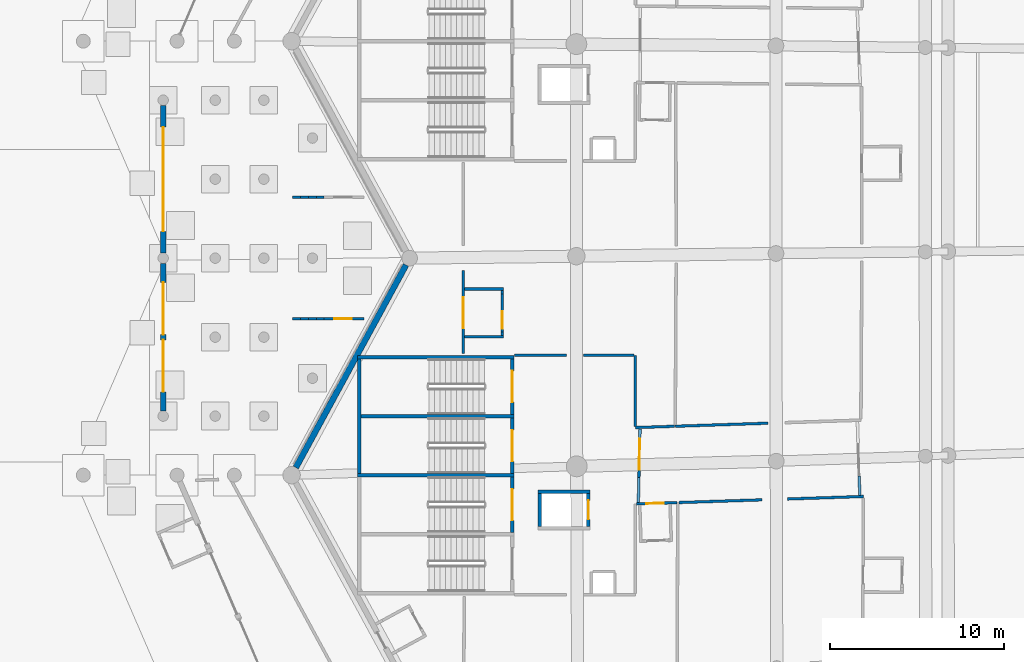
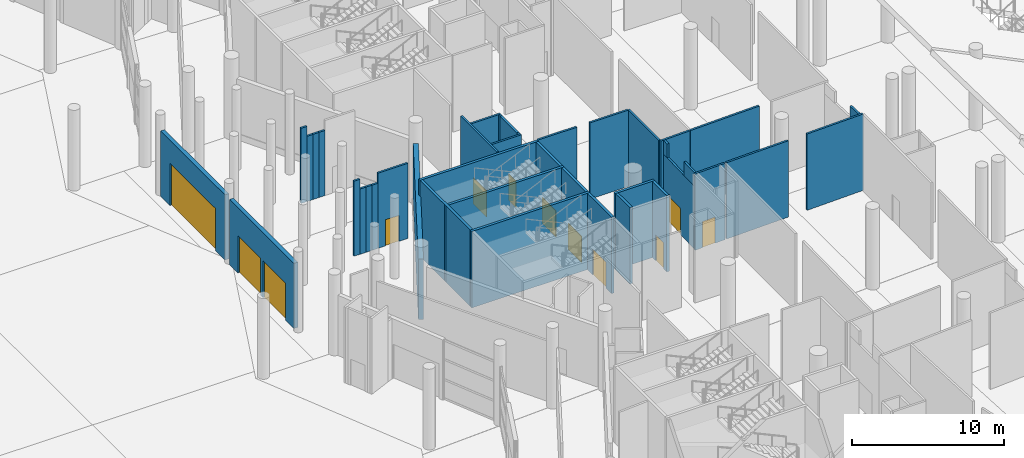
# One storey, part 113 of 255: 40 walls, 12 doors, 12 openings.
"""IFC4 building model written with IfcOpenShell, lengths in metres."""

from ifc_helpers import new_model, si_unit, direction, frame, frame_2d, origin, place, context, subcontext, project, spatial, rectangle, extrude, material, layer, layer_set, type_object, element, fill, save


model = new_model("IFC4")

# Units and contexts
model_context = context("Model", 3, precision=1e-05, world=origin(), true_north=direction((0.0, 1.0)))
body_context = subcontext(model_context, "Body", "Model", "MODEL_VIEW")
ifc_project = project(units=[si_unit("LENGTHUNIT", "METRE"), si_unit("AREAUNIT", "SQUARE_METRE"), si_unit("VOLUMEUNIT", "CUBIC_METRE"), si_unit("PLANEANGLEUNIT", "RADIAN"), si_unit("MASSUNIT", "GRAM", prefix="KILO")], contexts=[model_context])

# Site, building, storey
site_placement = place(None, origin())
site = spatial("IfcSite", under=ifc_project, at=site_placement, CompositionType="ELEMENT")
building_placement = place(site_placement, origin())
building = spatial("IfcBuilding", under=site, at=building_placement, Name="Meseta Stadium", CompositionType="ELEMENT")
storey_placement = place(building_placement, origin())
storey = spatial("IfcBuildingStorey", under=building, at=storey_placement, Name="L00", CompositionType="ELEMENT", Elevation=0.0)

# Walls
ifc_material_1 = material(Name="Concrete C40/50", Category="concrete")
ifc_layer_1 = layer(ifc_material_1, 0.199951171875)
ifc_layer_set_1 = layer_set([ifc_layer_1], Name="Core divider wall 200")
wall_type_1 = type_object("IfcWallType", Name="Core divider wall 200", PredefinedType="SHEAR", material=ifc_layer_set_1)
wall_1_placement = place(storey_placement, frame((-97.60009765625, -15.35009765625, 0.0), z_axis=(0.0, 0.0, 1.0), x_axis=(1.0, 0.0, 0.0)))
element("IfcWall", 1, at=wall_1_placement, inside=storey, type_object=wall_type_1, Name="Core 18 L00 stair A divider wall", PredefinedType="SHEAR", context=body_context, shape_type="SweptSolid", body=[
    extrude(rectangle(XDim=9.0, YDim=0.199951171875, at=frame_2d((4.5, 0.0))), origin(), (0.0, 0.0, 1.0), 6.14990234375),
])
ifc_material_2 = material(Name="Concrete C40/50", Category="concrete")
ifc_layer_2 = layer(ifc_material_2, 0.199951171875)
ifc_layer_set_2 = layer_set([ifc_layer_2], Name="Core shaft wall 200")
wall_type_2 = type_object("IfcWallType", Name="Core shaft wall 200", PredefinedType="SHEAR", material=ifc_layer_set_2)
for number, where, z_axis, x_axis, name in (
    (2, (-97.60009765625, -11.949951171875, 0.0), (0.0, 0.0, 1.0), (1.0, 0.0, 0.0), "Core 18 L00 stair wall A-side"),
    (3, (-97.60009765625, -18.75, 0.0), (0.0, 0.0, 1.0), (1.0, 0.0, 0.0), "Core 18 L00 stair wall shared"),
):
    element("IfcWall", number, at=place(storey_placement, frame(where, z_axis=z_axis, x_axis=x_axis)), inside=storey, type_object=wall_type_2, Name=name, PredefinedType="SHEAR", context=body_context, shape_type="SweptSolid", body=[
        extrude(rectangle(XDim=9.0, YDim=0.199951171875, at=frame_2d((4.5, 0.0))), origin(), (0.0, 0.0, 1.0), 6.14990234375),
    ])
wall_2_placement = place(storey_placement, frame((-97.5, -12.050048828125, 0.0), z_axis=(0.0, 0.0, 1.0), x_axis=(0.0, -1.0, 0.0)))
element("IfcWall", 4, at=wall_2_placement, inside=storey, type_object=wall_type_2, Name="Core 18 L00 stair A outer end wall", PredefinedType="SHEAR", context=body_context, shape_type="SweptSolid", body=[
    extrude(rectangle(XDim=6.599853515625, YDim=0.199951171875, at=frame_2d((3.2998046875, 0.0))), origin(), (0.0, 0.0, 1.0), 6.14990234375),
])

# Wall, opening, door
wall_3_placement = place(storey_placement, frame((-88.699951171875, -12.050048828125, 0.0), z_axis=(0.0, 0.0, 1.0), x_axis=(0.0, -1.0, 0.0)))
wall_3 = element("IfcWall", 5, at=wall_3_placement, inside=storey, type_object=wall_type_2, Name="Core 18 L00 stair A1 inner end wall", PredefinedType="SHEAR", context=body_context, shape_type="SweptSolid", body=[
    extrude(rectangle(XDim=3.199951171875, YDim=0.199951171875, at=frame_2d((1.60009765625, 0.0))), origin(), (0.0, 0.0, 1.0), 6.14990234375),
])
opening_1_placement = place(wall_3_placement, frame((0.699951171875, 0.0, 0.0)))
opening_1 = element("IfcOpeningElement", 6, at=opening_1_placement, cuts=wall_3, Name="Opening D245", PredefinedType="OPENING", context=body_context, shape_type="SweptSolid", body=[
    extrude(rectangle(XDim=1.800048828125, YDim=2.10009765625, at=frame_2d((0.89990234375, 1.050048828125))), frame((0.0, 0.10986328125, 0.0), z_axis=(0.0, -1.0, 0.0), x_axis=(1.0, 0.0, 0.0)), (0.0, 0.0, 1.0), 0.219970703125),
])
ifc_material_3 = material(Name="Steel", Category="steel")
door_type_1 = type_object("IfcDoorType", Name="Stair door 1800x2100", OperationType="DOUBLE_DOOR_SINGLE_SWING", PredefinedType="DOOR", material=ifc_material_3)
door_1_placement = place(opening_1_placement, origin())
door_1 = element("IfcDoor", 7, at=door_1_placement, inside=storey, type_object=door_type_1, Name="Stair A1 door 18 L00", OperationType="DOUBLE_DOOR_SINGLE_SWING", OverallHeight=2.10009765625, OverallWidth=1.800048828125, PredefinedType="DOOR", context=body_context, shape_type="SweptSolid", body=[
    extrude(rectangle(XDim=1.800048828125, YDim=2.10009765625, at=frame_2d((0.89990234375, 1.050048828125))), frame((0.0, 0.02490234375, 0.0), z_axis=(0.0, -1.0, 0.0), x_axis=(1.0, 0.0, 0.0)), (0.0, 0.0, 1.0), 0.050048828125),
])
fill(opening_1, door_1)

wall_4_placement = place(storey_placement, frame((-88.699951171875, -15.449951171875, 0.0), z_axis=(0.0, 0.0, 1.0), x_axis=(0.0, -1.0, 0.0)))
wall_4 = element("IfcWall", 8, at=wall_4_placement, inside=storey, type_object=wall_type_2, Name="Core 18 L00 stair A2 inner end wall", PredefinedType="SHEAR", context=body_context, shape_type="SweptSolid", body=[
    extrude(rectangle(XDim=3.199951171875, YDim=0.199951171875, at=frame_2d((1.60009765625, 0.0))), origin(), (0.0, 0.0, 1.0), 6.14990234375),
])
opening_2_placement = place(wall_4_placement, frame((0.699951171875, 0.0, 0.0)))
opening_2 = element("IfcOpeningElement", 9, at=opening_2_placement, cuts=wall_4, Name="Opening D246", PredefinedType="OPENING", context=body_context, shape_type="SweptSolid", body=[
    extrude(rectangle(XDim=1.800048828125, YDim=2.10009765625, at=frame_2d((0.89990234375, 1.050048828125))), frame((0.0, 0.10986328125, 0.0), z_axis=(0.0, -1.0, 0.0), x_axis=(1.0, 0.0, 0.0)), (0.0, 0.0, 1.0), 0.219970703125),
])
door_2_placement = place(opening_2_placement, origin())
door_2 = element("IfcDoor", 10, at=door_2_placement, inside=storey, type_object=door_type_1, Name="Stair A2 door 18 L00", OperationType="DOUBLE_DOOR_SINGLE_SWING", OverallHeight=2.10009765625, OverallWidth=1.800048828125, PredefinedType="DOOR", context=body_context, shape_type="SweptSolid", body=[
    extrude(rectangle(XDim=1.800048828125, YDim=2.10009765625, at=frame_2d((0.89990234375, 1.050048828125))), frame((0.0, 0.02490234375, 0.0), z_axis=(0.0, -1.0, 0.0), x_axis=(1.0, 0.0, 0.0)), (0.0, 0.0, 1.0), 0.050048828125),
])
fill(opening_2, door_2)

wall_5_placement = place(storey_placement, frame((-88.699951171875, -18.85009765625, 0.0), z_axis=(0.0, 0.0, 1.0), x_axis=(0.0, -1.0, 0.0)))
wall_5 = element("IfcWall", 11, at=wall_5_placement, inside=storey, type_object=wall_type_2, Name="Core 18 L00 stair B1 inner end wall", PredefinedType="SHEAR", context=body_context, shape_type="SweptSolid", body=[
    extrude(rectangle(XDim=3.199951171875, YDim=0.199951171875, at=frame_2d((1.60009765625, 0.0))), origin(), (0.0, 0.0, 1.0), 6.14990234375),
])
opening_3_placement = place(wall_5_placement, frame((0.699951171875, 0.0, 0.0)))
opening_3 = element("IfcOpeningElement", 12, at=opening_3_placement, cuts=wall_5, Name="Opening D247", PredefinedType="OPENING", context=body_context, shape_type="SweptSolid", body=[
    extrude(rectangle(XDim=1.800048828125, YDim=2.10009765625, at=frame_2d((0.89990234375, 1.050048828125))), frame((0.0, 0.10986328125, 0.0), z_axis=(0.0, -1.0, 0.0), x_axis=(1.0, 0.0, 0.0)), (0.0, 0.0, 1.0), 0.219970703125),
])
door_3_placement = place(opening_3_placement, origin())
door_3 = element("IfcDoor", 13, at=door_3_placement, inside=storey, type_object=door_type_1, Name="Stair B1 door 18 L00", OperationType="DOUBLE_DOOR_SINGLE_SWING", OverallHeight=2.10009765625, OverallWidth=1.800048828125, PredefinedType="DOOR", context=body_context, shape_type="SweptSolid", body=[
    extrude(rectangle(XDim=1.800048828125, YDim=2.10009765625, at=frame_2d((0.89990234375, 1.050048828125))), frame((0.0, 0.02490234375, 0.0), z_axis=(0.0, -1.0, 0.0), x_axis=(1.0, 0.0, 0.0)), (0.0, 0.0, 1.0), 0.050048828125),
])
fill(opening_3, door_3)

# Walls
wall_6_placement = place(storey_placement, frame((-87.199951171875, -19.699951171875, 0.0), z_axis=(0.0, 0.0, 1.0), x_axis=(1.0, 0.0, 0.0)))
element("IfcWall", 14, at=wall_6_placement, inside=storey, type_object=wall_type_2, Name="Core 18 L00 lift shaft wall left", PredefinedType="SHEAR", context=body_context, shape_type="SweptSolid", body=[
    extrude(rectangle(XDim=3.0, YDim=0.199951171875, at=frame_2d((1.5, 0.0))), origin(), (0.0, 0.0, 1.0), 6.14990234375),
])
wall_7_placement = place(storey_placement, frame((-87.10009765625, -19.800048828125, 0.0), z_axis=(0.0, 0.0, 1.0), x_axis=(0.0, -1.0, 0.0)))
element("IfcWall", 15, at=wall_7_placement, inside=storey, type_object=wall_type_2, Name="Core 18 L00 lift shaft back wall", PredefinedType="SHEAR", context=body_context, shape_type="SweptSolid", body=[
    extrude(rectangle(XDim=1.89990234375, YDim=0.199951171875, at=frame_2d((0.949951171875, 0.0))), origin(), (0.0, 0.0, 1.0), 6.14990234375),
])

# Wall, opening, door
wall_8_placement = place(storey_placement, frame((-84.300048828125, -19.800048828125, 0.0), z_axis=(0.0, 0.0, 1.0), x_axis=(0.0, -1.0, 0.0)))
wall_8 = element("IfcWall", 16, at=wall_8_placement, inside=storey, type_object=wall_type_2, Name="Core 18 L00 lift shaft front wall", PredefinedType="SHEAR", context=body_context, shape_type="SweptSolid", body=[
    extrude(rectangle(XDim=1.89990234375, YDim=0.199951171875, at=frame_2d((0.949951171875, 0.0))), origin(), (0.0, 0.0, 1.0), 6.14990234375),
])
opening_4_placement = place(wall_8_placement, frame((0.39990234375, 0.0, 0.0)))
opening_4 = element("IfcOpeningElement", 17, at=opening_4_placement, cuts=wall_8, Name="Opening LD98", PredefinedType="OPENING", context=body_context, shape_type="SweptSolid", body=[
    extrude(rectangle(XDim=1.10009765625, YDim=2.10009765625, at=frame_2d((0.550048828125, 1.050048828125))), frame((0.0, 0.10986328125, 0.0), z_axis=(0.0, -1.0, 0.0), x_axis=(1.0, 0.0, 0.0)), (0.0, 0.0, 1.0), 0.219970703125),
])
ifc_material_4 = material(Name="Steel", Category="steel")
door_type_2 = type_object("IfcDoorType", Name="Lift landing door 1100x2100", OperationType="SLIDING_TO_LEFT", PredefinedType="DOOR", material=ifc_material_4)
door_4_placement = place(opening_4_placement, origin())
door_4 = element("IfcDoor", 18, at=door_4_placement, inside=storey, type_object=door_type_2, Name="Lift landing door LD98", OperationType="SLIDING_TO_RIGHT", OverallHeight=2.10009765625, OverallWidth=1.10009765625, PredefinedType="DOOR", context=body_context, shape_type="SweptSolid", body=[
    extrude(rectangle(XDim=1.10009765625, YDim=2.10009765625, at=frame_2d((0.550048828125, 1.050048828125))), frame((0.0, 0.02490234375, 0.0), z_axis=(0.0, -1.0, 0.0), x_axis=(1.0, 0.0, 0.0)), (0.0, 0.0, 1.0), 0.050048828125),
])
fill(opening_4, door_4)

ifc_material_5 = material(Name="Precast concrete C40/50", Category="concrete")
ifc_layer_3 = layer(ifc_material_5, 0.300048828125)
ifc_layer_set_3 = layer_set([ifc_layer_3], Name="Gate facade panel wall 300")
wall_type_3 = type_object("IfcWallType", Name="Gate facade panel wall 300", PredefinedType="SOLIDWALL", material=ifc_layer_set_3)
wall_9_placement = place(storey_placement, frame((-108.800048828125, -5.949951171875, 0.0), z_axis=(0.0, 0.0, 1.0), x_axis=(0.0, 1.0, 0.0)))
wall_9 = element("IfcWall", 19, at=wall_9_placement, inside=storey, type_object=wall_type_3, Name="Gate 5 entrance wall", PredefinedType="SOLIDWALL", context=body_context, shape_type="SweptSolid", body=[
    extrude(rectangle(XDim=8.5, YDim=0.300048828125, at=frame_2d((4.25, 0.0))), origin(), (0.0, 0.0, 1.0), 5.25),
])
opening_5_placement = place(wall_9_placement, frame((1.25, 0.0, 0.0)))
opening_5 = element("IfcOpeningElement", 20, at=opening_5_placement, cuts=wall_9, Name="Opening D017", PredefinedType="OPENING", context=body_context, shape_type="SweptSolid", body=[
    extrude(rectangle(XDim=6.0, YDim=3.39990234375, at=frame_2d((3.0, 1.699951171875))), frame((0.0, 0.159912109375, 0.0), z_axis=(0.0, -1.0, 0.0), x_axis=(1.0, 0.0, 0.0)), (0.0, 0.0, 1.0), 0.320068359375),
])
ifc_material_6 = material(Name="Steel", Category="steel")
door_type_3 = type_object("IfcDoorType", Name="Main entrance door 6000x3400", OperationType="DOUBLE_DOOR_SINGLE_SWING", PredefinedType="DOOR", material=ifc_material_6)
door_5_placement = place(opening_5_placement, origin())
door_5 = element("IfcDoor", 21, at=door_5_placement, inside=storey, type_object=door_type_3, Name="Main entrance E5", OperationType="DOUBLE_DOOR_SINGLE_SWING", OverallHeight=3.39990234375, OverallWidth=6.0, PredefinedType="DOOR", context=body_context, shape_type="SweptSolid", body=[
    extrude(rectangle(XDim=6.0, YDim=3.39990234375, at=frame_2d((3.0, 1.699951171875))), frame((0.0, 0.02490234375, 0.0), z_axis=(0.0, -1.0, 0.0), x_axis=(1.0, 0.0, 0.0)), (0.0, 0.0, 1.0), 0.050048828125),
])
fill(opening_5, door_5)

# Wall, openings, doors
wall_10_placement = place(storey_placement, frame((-108.800048828125, -15.050048828125, 0.0), z_axis=(0.0, 0.0, 1.0), x_axis=(0.0, 1.0, 0.0)))
wall_10 = element("IfcWall", 22, at=wall_10_placement, inside=storey, type_object=wall_type_3, Name="Gate 5 entrance wall", PredefinedType="SOLIDWALL", context=body_context, shape_type="SweptSolid", body=[
    extrude(rectangle(XDim=8.5, YDim=0.300048828125, at=frame_2d((4.25, 0.0))), origin(), (0.0, 0.0, 1.0), 5.25),
])
opening_6_placement = place(wall_10_placement, frame((4.39990234375, 0.0, 0.0)))
opening_6 = element("IfcOpeningElement", 23, at=opening_6_placement, cuts=wall_10, Name="Opening D018", PredefinedType="OPENING", context=body_context, shape_type="SweptSolid", body=[
    extrude(rectangle(XDim=3.0, YDim=3.0, at=frame_2d((1.5, 1.5))), frame((0.0, 0.159912109375, 0.0), z_axis=(0.0, -1.0, 0.0), x_axis=(1.0, 0.0, 0.0)), (0.0, 0.0, 1.0), 0.320068359375),
])
opening_7_placement = place(wall_10_placement, frame((1.10009765625, 0.0, 0.0)))
opening_7 = element("IfcOpeningElement", 24, at=opening_7_placement, cuts=wall_10, Name="Opening D019", PredefinedType="OPENING", context=body_context, shape_type="SweptSolid", body=[
    extrude(rectangle(XDim=3.0, YDim=3.0, at=frame_2d((1.5, 1.5))), frame((0.0, 0.159912109375, 0.0), z_axis=(0.0, -1.0, 0.0), x_axis=(1.0, 0.0, 0.0)), (0.0, 0.0, 1.0), 0.320068359375),
])
ifc_material_7 = material(Name="Steel", Category="steel")
door_type_4 = type_object("IfcDoorType", Name="Pedestrian exit door 3000x3000", OperationType="DOUBLE_DOOR_SINGLE_SWING", PredefinedType="DOOR", material=ifc_material_7)
door_6_placement = place(opening_6_placement, origin())
door_6 = element("IfcDoor", 25, at=door_6_placement, inside=storey, type_object=door_type_4, Name="Pedestrian exit gate G5", OperationType="DOUBLE_DOOR_SINGLE_SWING", OverallHeight=3.0, OverallWidth=3.0, PredefinedType="DOOR", context=body_context, shape_type="SweptSolid", body=[
    extrude(rectangle(XDim=3.0, YDim=3.0, at=frame_2d((1.5, 1.5))), frame((0.0, 0.02490234375, 0.0), z_axis=(0.0, -1.0, 0.0), x_axis=(1.0, 0.0, 0.0)), (0.0, 0.0, 1.0), 0.050048828125),
])
fill(opening_6, door_6)
door_7_placement = place(opening_7_placement, origin())
door_7 = element("IfcDoor", 26, at=door_7_placement, inside=storey, type_object=door_type_4, Name="Pedestrian exit gate G5", OperationType="DOUBLE_DOOR_SINGLE_SWING", OverallHeight=3.0, OverallWidth=3.0, PredefinedType="DOOR", context=body_context, shape_type="SweptSolid", body=[
    extrude(rectangle(XDim=3.0, YDim=3.0, at=frame_2d((1.5, 1.5))), frame((0.0, 0.02490234375, 0.0), z_axis=(0.0, -1.0, 0.0), x_axis=(1.0, 0.0, 0.0)), (0.0, 0.0, 1.0), 0.050048828125),
])
fill(opening_7, door_7)

# Walls
ifc_material_8 = material(Name="Masonry blockwork", Category="masonry")
ifc_layer_4 = layer(ifc_material_8, 0.14990234375)
ifc_layer_set_4 = layer_set([ifc_layer_4], Name="Partition 150")
wall_type_4 = type_object("IfcWallType", Name="Partition 150", PredefinedType="PARTITIONING", material=ifc_layer_set_4)
wall_11_placement = place(storey_placement, frame((-99.525390625, -2.75, 0.0), z_axis=(0.0, 0.0, 1.0), x_axis=(-1.0, 0.0, 0.0)))
element("IfcWall", 27, at=wall_11_placement, inside=storey, type_object=wall_type_4, Name="Partition L00 G5-L00-0-SecurityScreening-0", PredefinedType="PARTITIONING", context=body_context, shape_type="SweptSolid", body=[
    extrude(rectangle(XDim=0.456298828125, YDim=0.14990234375, at=frame_2d((0.22802734375, 0.0))), origin(), (0.0, 0.0, 1.0), 5.25),
])
for number, where, z_axis, x_axis, name in (
    (28, (-99.981689453125, -2.75, 0.0), (0.0, 0.0, 1.0), (-1.0, 0.0, 0.0), "Partition L00 G5-L00-0-SecurityScreening-0"),
    (29, (-100.437744140625, -2.75, 0.0), (0.0, 0.0, 1.0), (-1.0, 0.0, 0.0), "Partition L00 G5-L00-0-SecurityScreening-0"),
):
    element("IfcWall", number, at=place(storey_placement, frame(where, z_axis=z_axis, x_axis=x_axis)), inside=storey, type_object=wall_type_4, Name=name, PredefinedType="PARTITIONING", context=body_context, shape_type="SweptSolid", body=[
        extrude(rectangle(XDim=0.4560546875, YDim=0.14990234375, at=frame_2d((0.22802734375, 0.0))), origin(), (0.0, 0.0, 1.0), 5.25),
    ])
wall_12_placement = place(storey_placement, frame((-100.893798828125, -2.75, 0.0), z_axis=(0.0, 0.0, 1.0), x_axis=(-1.0, 0.0, 0.0)))
element("IfcWall", 30, at=wall_12_placement, inside=storey, type_object=wall_type_4, Name="Partition L00 G5-L00-0-SecurityScreening-0", PredefinedType="PARTITIONING", context=body_context, shape_type="SweptSolid", body=[
    extrude(rectangle(XDim=0.456298828125, YDim=0.14990234375, at=frame_2d((0.22802734375, 0.0))), origin(), (0.0, 0.0, 1.0), 6.050048828125),
])

# Wall, opening, door
wall_13_placement = place(storey_placement, frame((-99.525390625, -9.75, 0.0), z_axis=(0.0, 0.0, 1.0), x_axis=(1.0, 0.0, 0.0)))
wall_13 = element("IfcWall", 31, at=wall_13_placement, inside=storey, type_object=wall_type_4, Name="Partition L00 G5-L00-1-TicketHall-0", PredefinedType="PARTITIONING", context=body_context, shape_type="SweptSolid", body=[
    extrude(rectangle(XDim=2.28076171875, YDim=0.14990234375, at=frame_2d((1.140380859375, 0.0))), origin(), (0.0, 0.0, 1.0), 6.050048828125),
])
opening_8_placement = place(wall_13_placement, frame((0.580810546875, 0.0, 0.0)))
opening_8 = element("IfcOpeningElement", 32, at=opening_8_placement, cuts=wall_13, Name="Opening D525", PredefinedType="OPENING", context=body_context, shape_type="SweptSolid", body=[
    extrude(rectangle(XDim=1.0, YDim=2.10009765625, at=frame_2d((0.5, 1.050048828125))), frame((0.0, 0.0849609375, 0.0), z_axis=(0.0, -1.0, 0.0), x_axis=(1.0, 0.0, 0.0)), (0.0, 0.0, 1.0), 0.169921875),
])
ifc_material_9 = material(Name="Steel", Category="steel")
door_type_5 = type_object("IfcDoorType", Name="Fire door 1000x2100 EI2 60", OperationType="NOTDEFINED", PredefinedType="DOOR", material=ifc_material_9)
door_8_placement = place(opening_8_placement, origin())
door_8 = element("IfcDoor", 33, at=door_8_placement, inside=storey, type_object=door_type_5, Name="Door D525", OperationType="SINGLE_SWING_RIGHT", OverallHeight=2.10009765625, OverallWidth=1.0, PredefinedType="DOOR", context=body_context, shape_type="SweptSolid", body=[
    extrude(rectangle(XDim=1.0, YDim=2.10009765625, at=frame_2d((0.5, 1.050048828125))), frame((0.0, 0.02490234375, 0.0), z_axis=(0.0, -1.0, 0.0), x_axis=(1.0, 0.0, 0.0)), (0.0, 0.0, 1.0), 0.050048828125),
])
fill(opening_8, door_8)

# Walls
wall_14_placement = place(storey_placement, frame((-99.525390625, -9.75, 0.0), z_axis=(0.0, 0.0, 1.0), x_axis=(-1.0, 0.0, 0.0)))
element("IfcWall", 34, at=wall_14_placement, inside=storey, type_object=wall_type_4, Name="Partition L00 G5-L00-1-TicketHall-0", PredefinedType="PARTITIONING", context=body_context, shape_type="SweptSolid", body=[
    extrude(rectangle(XDim=0.456298828125, YDim=0.14990234375, at=frame_2d((0.22802734375, 0.0))), origin(), (0.0, 0.0, 1.0), 5.25),
])
for number, where, z_axis, x_axis, name in (
    (35, (-99.981689453125, -9.75, 0.0), (0.0, 0.0, 1.0), (-1.0, 0.0, 0.0), "Partition L00 G5-L00-1-TicketHall-0"),
    (36, (-100.437744140625, -9.75, 0.0), (0.0, 0.0, 1.0), (-1.0, 0.0, 0.0), "Partition L00 G5-L00-1-TicketHall-0"),
):
    element("IfcWall", number, at=place(storey_placement, frame(where, z_axis=z_axis, x_axis=x_axis)), inside=storey, type_object=wall_type_4, Name=name, PredefinedType="PARTITIONING", context=body_context, shape_type="SweptSolid", body=[
        extrude(rectangle(XDim=0.4560546875, YDim=0.14990234375, at=frame_2d((0.22802734375, 0.0))), origin(), (0.0, 0.0, 1.0), 5.25),
    ])
wall_15_placement = place(storey_placement, frame((-100.893798828125, -9.75, 0.0), z_axis=(0.0, 0.0, 1.0), x_axis=(-1.0, 0.0, 0.0)))
element("IfcWall", 37, at=wall_15_placement, inside=storey, type_object=wall_type_4, Name="Partition L00 G5-L00-1-TicketHall-0", PredefinedType="PARTITIONING", context=body_context, shape_type="SweptSolid", body=[
    extrude(rectangle(XDim=0.456298828125, YDim=0.14990234375, at=frame_2d((0.22802734375, 0.0))), origin(), (0.0, 0.0, 1.0), 6.050048828125),
])
wall_16_placement = place(storey_placement, frame((-73.95458984375, -15.7578125, 0.0), z_axis=(0.0, 0.0, 1.0), x_axis=(-0.999460097148, -0.032855961554, 0.0)))
element("IfcWall", 38, at=wall_16_placement, inside=storey, type_object=wall_type_4, Name="Partition L00 L00-cell16-1-0", PredefinedType="PARTITIONING", context=body_context, shape_type="SweptSolid", body=[
    extrude(rectangle(XDim=5.35009765625, YDim=0.14990234375, at=frame_2d((2.675048828125, 0.0))), origin(), (0.0, 0.0, 1.0), 6.14990234375),
])

# Wall, opening, door
wall_17_placement = place(storey_placement, frame((-91.519287109375, -6.96728515625, 0.0), z_axis=(0.0, 0.0, 1.0), x_axis=(-0.001174067593, -0.999999310782, 0.0)))
wall_17 = element("IfcWall", 39, at=wall_17_placement, inside=storey, type_object=wall_type_4, Name="Partition L00 L00-cell16-2-0", PredefinedType="PARTITIONING", context=body_context, shape_type="SweptSolid", body=[
    extrude(rectangle(XDim=4.78271484375, YDim=0.14990234375, at=frame_2d((2.391357421875, 0.0))), origin(), (0.0, 0.0, 1.0), 6.14990234375),
])
opening_9_placement = place(wall_17_placement, frame((1.53271484375, 0.0, 0.0)))
opening_9 = element("IfcOpeningElement", 40, at=opening_9_placement, cuts=wall_17, Name="Opening D585", PredefinedType="OPENING", context=body_context, shape_type="SweptSolid", body=[
    extrude(rectangle(XDim=1.800048828125, YDim=2.10009765625, at=frame_2d((0.89990234375, 1.050048828125))), frame((0.0, 0.0849609375, 0.0), z_axis=(0.0, -1.0, 0.0), x_axis=(1.0, 0.0, 0.0)), (0.0, 0.0, 1.0), 0.169921875),
])
ifc_material_10 = material(Name="Steel", Category="steel")
door_type_6 = type_object("IfcDoorType", Name="Fire double door 1800x2100 EI2 60", OperationType="DOUBLE_DOOR_SINGLE_SWING", PredefinedType="DOOR", material=ifc_material_10)
door_9_placement = place(opening_9_placement, frame((1.800048828125, 0.0, 0.0), z_axis=(0.0, 0.0, 1.0), x_axis=(-1.0, 0.0, 0.0)))
door_9 = element("IfcDoor", 41, at=door_9_placement, inside=storey, type_object=door_type_6, Name="Door D585", OperationType="DOUBLE_DOOR_SINGLE_SWING", OverallHeight=2.10009765625, OverallWidth=1.800048828125, PredefinedType="DOOR", context=body_context, shape_type="SweptSolid", body=[
    extrude(rectangle(XDim=1.800048828125, YDim=2.10009765625, at=frame_2d((0.89990234375, 1.050048828125))), frame((0.0, 0.02490234375, 0.0), z_axis=(0.0, -1.0, 0.0), x_axis=(1.0, 0.0, 0.0)), (0.0, 0.0, 1.0), 0.050048828125),
])
fill(opening_9, door_9)

# Walls
wall_18_placement = place(storey_placement, frame((-79.3515625, -15.935302734375, 0.0), z_axis=(0.0, 0.0, 1.0), x_axis=(-0.999459266056, -0.032881233183, 0.0)))
element("IfcWall", 42, at=wall_18_placement, inside=storey, type_object=wall_type_4, Name="Partition L00 L00-cell16-2-0", PredefinedType="PARTITIONING", context=body_context, shape_type="SweptSolid", body=[
    extrude(rectangle(XDim=2.249755859375, YDim=0.14990234375, at=frame_2d((1.125, 0.0))), origin(), (0.0, 0.0, 1.0), 6.14990234375),
])
wall_19_placement = place(storey_placement, frame((-81.60009765625, -15.934326171875, 0.0), z_axis=(0.0, 0.0, 1.0), x_axis=(0.0, 1.0, 0.0)))
element("IfcWall", 43, at=wall_19_placement, inside=storey, type_object=wall_type_4, Name="Partition L00 L00-cell16-2-0", PredefinedType="PARTITIONING", context=body_context, shape_type="SweptSolid", body=[
    extrude(rectangle(XDim=4.084228515625, YDim=0.14990234375, at=frame_2d((2.0419921875, 0.0))), origin(), (0.0, 0.0, 1.0), 6.14990234375),
])
wall_20_placement = place(storey_placement, frame((-81.675048828125, -11.85009765625, 0.0), z_axis=(0.0, 0.0, 1.0), x_axis=(-1.0, 0.0, 0.0)))
element("IfcWall", 44, at=wall_20_placement, inside=storey, type_object=wall_type_4, Name="Partition L00 L00-cell16-2-0", PredefinedType="PARTITIONING", context=body_context, shape_type="SweptSolid", body=[
    extrude(rectangle(XDim=2.907958984375, YDim=0.14990234375, at=frame_2d((1.4541015625, 0.0))), origin(), (0.0, 0.0, 1.0), 6.14990234375),
])
wall_21_placement = place(storey_placement, frame((-85.5771484375, -11.85009765625, 0.0), z_axis=(0.0, 0.0, 1.0), x_axis=(-1.0, 0.0, 0.0)))
element("IfcWall", 45, at=wall_21_placement, inside=storey, type_object=wall_type_4, Name="Partition L00 L00-cell16-2-0", PredefinedType="PARTITIONING", context=body_context, shape_type="SweptSolid", body=[
    extrude(rectangle(XDim=2.98291015625, YDim=0.14990234375, at=frame_2d((1.491455078125, 0.0))), origin(), (0.0, 0.0, 1.0), 6.14990234375),
])
wall_22_placement = place(storey_placement, frame((-79.08203125, -20.328857421875, 0.0), z_axis=(0.0, 0.0, 1.0), x_axis=(0.999459186373, 0.032883655132, 0.0)))
element("IfcWall", 46, at=wall_22_placement, inside=storey, type_object=wall_type_4, Name="Partition L00 L00-cell17-1-0", PredefinedType="PARTITIONING", context=body_context, shape_type="SweptSolid", body=[
    extrude(rectangle(XDim=4.788818359375, YDim=0.14990234375, at=frame_2d((2.39453125, 0.0))), origin(), (0.0, 0.0, 1.0), 6.14990234375),
])
wall_23_placement = place(storey_placement, frame((-72.837646484375, -20.12353515625, 0.0), z_axis=(0.0, 0.0, 1.0), x_axis=(0.999458381432, 0.032908111225, 0.0)))
element("IfcWall", 47, at=wall_23_placement, inside=storey, type_object=wall_type_4, Name="Partition L00 L00-cell17-1-0", PredefinedType="PARTITIONING", context=body_context, shape_type="SweptSolid", body=[
    extrude(rectangle(XDim=4.377197265625, YDim=0.14990234375, at=frame_2d((2.1884765625, 0.0))), origin(), (0.0, 0.0, 1.0), 6.14990234375),
])

# Wall, opening, door
wall_24_placement = place(storey_placement, frame((-81.52490234375, -20.4091796875, 0.0), z_axis=(0.0, 0.0, 1.0), x_axis=(0.999460453172, 0.032845129702, 0.0)))
wall_24 = element("IfcWall", 48, at=wall_24_placement, inside=storey, type_object=wall_type_4, Name="Partition L00 L00-cell17-2-0", PredefinedType="PARTITIONING", context=body_context, shape_type="SweptSolid", body=[
    extrude(rectangle(XDim=2.319091796875, YDim=0.14990234375, at=frame_2d((1.15966796875, 0.0))), origin(), (0.0, 0.0, 1.0), 6.14990234375),
])
opening_10_placement = place(wall_24_placement, frame((0.550048828125, 0.0, 0.0)))
opening_10 = element("IfcOpeningElement", 49, at=opening_10_placement, cuts=wall_24, Name="Opening D587", PredefinedType="OPENING", context=body_context, shape_type="SweptSolid", body=[
    extrude(rectangle(XDim=1.0, YDim=2.10009765625, at=frame_2d((0.5, 1.050048828125))), frame((0.0, 0.0849609375, 0.0), z_axis=(0.0, -1.0, 0.0), x_axis=(1.0, 0.0, 0.0)), (0.0, 0.0, 1.0), 0.169921875),
])
ifc_material_11 = material(Name="Steel", Category="steel")
door_type_7 = type_object("IfcDoorType", Name="Fire door 1000x2100 EI2 120", OperationType="NOTDEFINED", PredefinedType="DOOR", material=ifc_material_11)
door_10_placement = place(opening_10_placement, origin())
door_10 = element("IfcDoor", 50, at=door_10_placement, inside=storey, type_object=door_type_7, Name="Door D587", OperationType="SINGLE_SWING_LEFT", OverallHeight=2.10009765625, OverallWidth=1.0, PredefinedType="DOOR", context=body_context, shape_type="SweptSolid", body=[
    extrude(rectangle(XDim=1.0, YDim=2.10009765625, at=frame_2d((0.5, 1.050048828125))), frame((0.0, 0.02490234375, 0.0), z_axis=(0.0, -1.0, 0.0), x_axis=(1.0, 0.0, 0.0)), (0.0, 0.0, 1.0), 0.050048828125),
])
fill(opening_10, door_10)

# Walls
for number, where, z_axis, x_axis, name in (
    (51, (-91.445556640625, -8.025146484375, 0.0), (0.0, 0.0, 1.0), (0.999999287688, -0.001193575539, 0.0), "Partition L00 L00-cell16-2-0 vestibule"),
    (52, (-91.44873046875, -10.775146484375, 0.0), (0.0, 0.0, 1.0), (0.999999287688, -0.001193575539, 0.0), "Partition L00 L00-cell16-2-0 vestibule"),
):
    element("IfcWall", number, at=place(storey_placement, frame(where, z_axis=z_axis, x_axis=x_axis)), inside=storey, type_object=wall_type_4, Name=name, PredefinedType="PARTITIONING", context=body_context, shape_type="SweptSolid", body=[
        extrude(rectangle(XDim=2.25, YDim=0.14990234375, at=frame_2d((1.125, 0.0))), origin(), (0.0, 0.0, 1.0), 6.14990234375),
    ])
wall_25_placement = place(storey_placement, frame((-89.273681640625, -10.70263671875, 0.0), z_axis=(0.0, 0.0, 1.0), x_axis=(0.001221000311, 0.999999254579, 0.0)))
element("IfcWall", 53, at=wall_25_placement, inside=storey, type_object=wall_type_4, Name="Partition L00 L00-cell16-2-0 vestibule", PredefinedType="PARTITIONING", context=body_context, shape_type="SweptSolid", body=[
    extrude(rectangle(XDim=0.199951171875, YDim=0.14990234375, at=frame_2d((0.10009765625, 0.0))), origin(), (0.0, 0.0, 1.0), 6.14990234375),
])

# Wall, opening, door
wall_26_placement = place(storey_placement, frame((-89.2734375, -10.502685546875, 0.0), z_axis=(0.0, 0.0, 1.0), x_axis=(0.001220729309, 0.99999925491, 0.0)))
wall_26 = element("IfcWall", 54, at=wall_26_placement, inside=storey, type_object=wall_type_4, Name="Partition L00 L00-cell16-2-0 vestibule", PredefinedType="PARTITIONING", context=body_context, shape_type="SweptSolid", body=[
    extrude(rectangle(XDim=2.199951171875, YDim=0.14990234375, at=frame_2d((1.10009765625, 0.0))), origin(), (0.0, 0.0, 1.0), 6.14990234375),
])
opening_11_placement = place(wall_26_placement, frame((0.199951171875, 0.0, 0.0)))
opening_11 = element("IfcOpeningElement", 55, at=opening_11_placement, cuts=wall_26, Name="Opening D848", PredefinedType="OPENING", context=body_context, shape_type="SweptSolid", body=[
    extrude(rectangle(XDim=1.0, YDim=2.10009765625, at=frame_2d((0.5, 1.050048828125))), frame((0.0, 0.0849609375, 0.0), z_axis=(0.0, -1.0, 0.0), x_axis=(1.0, 0.0, 0.0)), (0.0, 0.0, 1.0), 0.169921875),
])
door_11_placement = place(opening_11_placement, origin())
door_11 = element("IfcDoor", 56, at=door_11_placement, inside=storey, type_object=door_type_5, Name="Vestibule door L00 L00-cell16-2-0", OperationType="SINGLE_SWING_LEFT", OverallHeight=2.10009765625, OverallWidth=1.0, PredefinedType="DOOR", context=body_context, shape_type="SweptSolid", body=[
    extrude(rectangle(XDim=1.0, YDim=2.10009765625, at=frame_2d((0.5, 1.050048828125))), frame((0.0, 0.02490234375, 0.0), z_axis=(0.0, -1.0, 0.0), x_axis=(1.0, 0.0, 0.0)), (0.0, 0.0, 1.0), 0.050048828125),
])
fill(opening_11, door_11)

# Wall
wall_27_placement = place(storey_placement, frame((-89.270751953125, -8.302734375, 0.0), z_axis=(0.0, 0.0, 1.0), x_axis=(0.001221000311, 0.999999254579, 0.0)))
element("IfcWall", 57, at=wall_27_placement, inside=storey, type_object=wall_type_4, Name="Partition L00 L00-cell16-2-0 vestibule", PredefinedType="PARTITIONING", context=body_context, shape_type="SweptSolid", body=[
    extrude(rectangle(XDim=0.199951171875, YDim=0.14990234375, at=frame_2d((0.10009765625, 0.0))), origin(), (0.0, 0.0, 1.0), 6.14990234375),
])

# Wall, opening, door
wall_28_placement = place(storey_placement, frame((-81.327392578125, -16.08056640625, 0.0), z_axis=(0.0, 0.0, 1.0), x_axis=(-0.023572927834, -0.999722119928, 0.0)))
wall_28 = element("IfcWall", 58, at=wall_28_placement, inside=storey, type_object=wall_type_4, Name="Escape corridor sector wall L00 core 18", PredefinedType="PARTITIONING", context=body_context, shape_type="SweptSolid", body=[
    extrude(rectangle(XDim=4.246337890625, YDim=0.14990234375, at=frame_2d((2.123046875, 0.0))), origin(), (0.0, 0.0, 1.0), 5.050048828125),
])
opening_12_placement = place(wall_28_placement, frame((0.550048828125, 0.0, 0.0)))
opening_12 = element("IfcOpeningElement", 59, at=opening_12_placement, cuts=wall_28, Name="Opening D422", PredefinedType="OPENING", context=body_context, shape_type="SweptSolid", body=[
    extrude(rectangle(XDim=1.800048828125, YDim=2.10009765625, at=frame_2d((0.89990234375, 1.050048828125))), frame((0.0, 0.0849609375, 0.0), z_axis=(0.0, -1.0, 0.0), x_axis=(1.0, 0.0, 0.0)), (0.0, 0.0, 1.0), 0.169921875),
])
door_12_placement = place(opening_12_placement, origin())
door_12 = element("IfcDoor", 60, at=door_12_placement, inside=storey, type_object=door_type_6, Name="Escape corridor door EC18-1", OperationType="DOUBLE_DOOR_SINGLE_SWING", OverallHeight=2.10009765625, OverallWidth=1.800048828125, PredefinedType="DOOR", context=body_context, shape_type="SweptSolid", body=[
    extrude(rectangle(XDim=1.800048828125, YDim=2.10009765625, at=frame_2d((0.89990234375, 1.050048828125))), frame((0.0, 0.02490234375, 0.0), z_axis=(0.0, -1.0, 0.0), x_axis=(1.0, 0.0, 0.0)), (0.0, 0.0, 1.0), 0.050048828125),
])
fill(opening_12, door_12)

# Walls
wall_29_placement = place(storey_placement, frame((-81.327392578125, -16.08056640625, 5.050048828125), z_axis=(0.0, 0.0, 1.0), x_axis=(-0.023431065349, -0.999725454901, 0.0)))
element("IfcWall", 61, at=wall_29_placement, inside=storey, type_object=wall_type_4, Name="Escape corridor sector wall L00 core 18", PredefinedType="PARTITIONING", context=body_context, shape_type="SweptSolid", body=[
    extrude(rectangle(XDim=0.500244140625, YDim=0.14990234375, at=frame_2d((0.25, 0.0))), origin(), (0.0, 0.0, 1.0), 1.099853515625),
])
wall_30_placement = place(storey_placement, frame((-81.393798828125, -18.89404296875, 5.050048828125), z_axis=(0.0, 0.0, 1.0), x_axis=(-0.023526910325, -0.999723203937, 0.0)))
element("IfcWall", 62, at=wall_30_placement, inside=storey, type_object=wall_type_4, Name="Escape corridor sector wall L00 core 18", PredefinedType="PARTITIONING", context=body_context, shape_type="SweptSolid", body=[
    extrude(rectangle(XDim=1.43212890625, YDim=0.14990234375, at=frame_2d((0.716064453125, 0.0))), origin(), (0.0, 0.0, 1.0), 1.099853515625),
])
wall_31_placement = place(storey_placement, frame((-68.705322265625, -18.81103515625, 5.25), z_axis=(0.0, 0.0, 1.0), x_axis=(0.032849239857, -0.999460318092, 0.0)))
element("IfcWall", 63, at=wall_31_placement, inside=storey, type_object=wall_type_4, Name="Escape corridor discharge wall L00 core 18", PredefinedType="PARTITIONING", context=body_context, shape_type="SweptSolid", body=[
    extrude(rectangle(XDim=1.099853515625, YDim=0.14990234375, at=frame_2d((0.5498046875, 0.0))), origin(), (0.0, 0.0, 1.0), 0.89990234375),
])
ifc_material_12 = material(Name="White precast concrete C40/50", Category="concrete")
ifc_layer_5 = layer(ifc_material_12, 0.35009765625)
ifc_layer_set_5 = layer_set([ifc_layer_5], Name="Pleated panel wall 350 gate")
wall_type_5 = type_object("IfcWallType", Name="Pleated panel wall 350 gate", PredefinedType="SOLIDWALL", material=ifc_layer_set_5)
wall_32_placement = place(storey_placement, frame((-101.1611328125, -18.31103515625, 0.0), z_axis=(0.0, 0.0, 1.0), x_axis=(0.477867771117, 0.878431780691, 0.0)))
element("IfcWall", 64, at=wall_32_placement, inside=storey, type_object=wall_type_5, Name="Pleated facade panel L00 F33", PredefinedType="SOLIDWALL", context=body_context, shape_type="SweptSolid", body=[
    extrude(rectangle(XDim=13.2802734375, YDim=0.35009765625, at=frame_2d((6.64013671875, 0.0))), origin(), (0.0, 0.0, 1.0), 4.85009765625),
])

save(model, "model.ifc")
